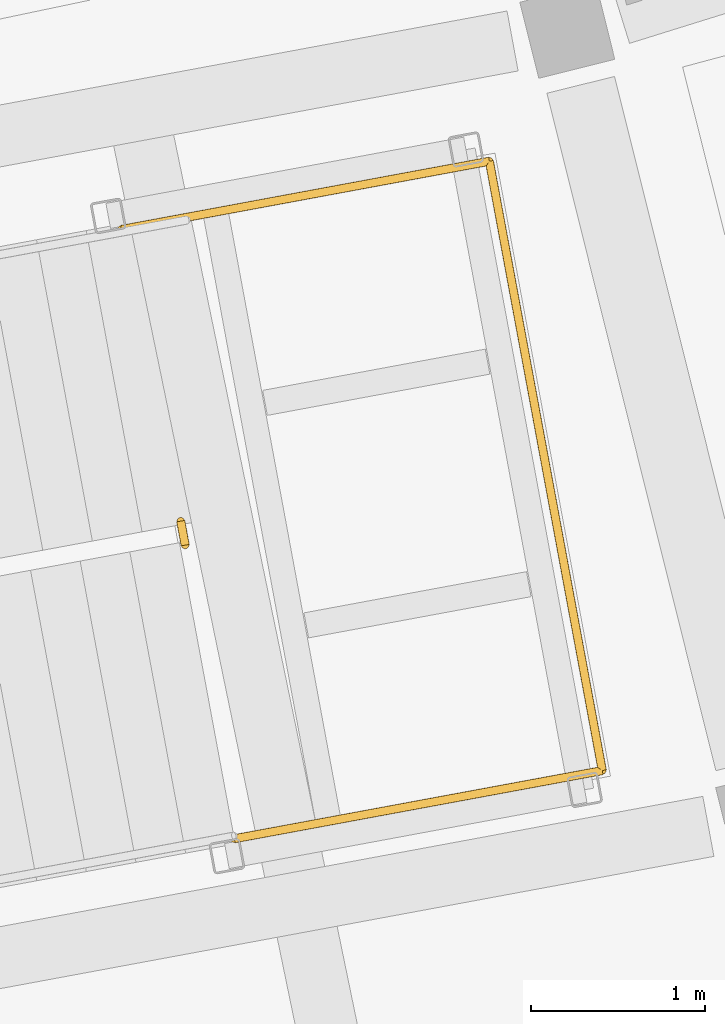
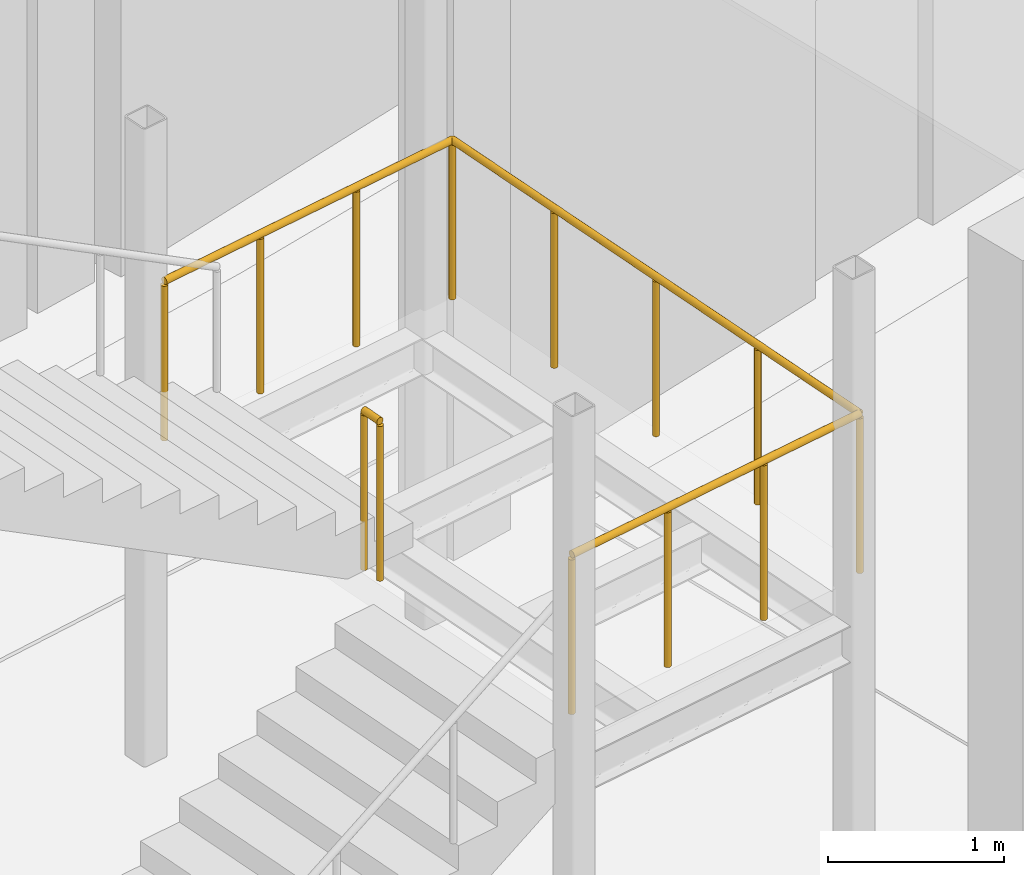
# One storey, part 82 of 92: 2 railings.
"""IFC4 building model written with IfcOpenShell, lengths in metres."""

import ifcopenshell
import ifcopenshell.guid

model = None  # the IFC model being written
_history = None  # IfcOwnerHistory: only IFC2X3 demands one
_inside = {}  # id of a spatial element -> (the spatial element, [elements in it])
_under = {}  # id of a project, library or spatial element -> (it, [spatial elements below it])
_declared = {}  # id of a project -> (the project, [libraries it declares])
_typed = {}  # id of a type object -> (the type object, [elements of that type])
_made_of = {}  # id of a material, layer set ... -> (it, [elements and type objects made of it])


def new_model(schema):
    """Start an empty IFC model of exactly this schema.

    Asked for "IFC4X3", IfcOpenShell would pick the latest addendum, in which some entities
    have other attributes; the version numbers below select the first issue.
    IFC2X3 requires an IfcOwnerHistory on every rooted entity: one is made here for all.
    """
    global model, _history
    if schema == "IFC4X3":
        model = ifcopenshell.file(schema_version=(4, 3, 0, 0))
    else:
        model = ifcopenshell.file(schema=schema)
    _inside.clear()
    _under.clear()
    _declared.clear()
    _typed.clear()
    _made_of.clear()
    _history = None
    if model.schema == "IFC2X3":
        org = make("IfcOrganization", Name="unknown")
        user = make(
            "IfcPersonAndOrganization",
            ThePerson=make("IfcPerson", FamilyName="unknown"),
            TheOrganization=org,
        )
        app = make(
            "IfcApplication",
            ApplicationDeveloper=org,
            Version="unknown",
            ApplicationFullName="unknown",
            ApplicationIdentifier="unknown",
        )
        _history = make(
            "IfcOwnerHistory",
            OwningUser=user,
            OwningApplication=app,
            ChangeAction="ADDED",
            CreationDate=0,
        )
    return model


def make(cls, **values):
    """One entity of the class cls with the attributes given. An attribute that is None is left unset."""
    return model.create_entity(
        cls, **{name: value for name, value in values.items() if value is not None}
    )


def rooted(cls, **values):
    """An entity with a GlobalId (a new one), such as an element, a storey or a relation."""
    return make(cls, GlobalId=ifcopenshell.guid.new(), OwnerHistory=_history, **values)


def si_unit(unit_type, name, prefix=None):
    """IfcSIUnit, for example si_unit("LENGTHUNIT", "METRE", prefix="MILLI")."""
    return make("IfcSIUnit", UnitType=unit_type, Prefix=prefix, Name=name)


def assignment(units):
    """IfcUnitAssignment: the units of a project."""
    return None if units is None else make("IfcUnitAssignment", Units=units)


def point(xyz):
    """IfcCartesianPoint."""
    return None if xyz is None else make("IfcCartesianPoint", Coordinates=xyz)


def direction(xyz):
    """IfcDirection."""
    return None if xyz is None else make("IfcDirection", DirectionRatios=xyz)


def frame(location, z_axis=None, x_axis=None):
    """IfcAxis2Placement3D, a coordinate frame: its origin and axes. An axis left out is left unset."""
    return make(
        "IfcAxis2Placement3D",
        Location=point(location),
        Axis=direction(z_axis),
        RefDirection=direction(x_axis),
    )


def frame_2d(location, x_axis=None):
    """IfcAxis2Placement2D, a coordinate frame in the plane: its origin and x axis."""
    return make(
        "IfcAxis2Placement2D", Location=point(location), RefDirection=direction(x_axis)
    )


def origin():
    """The frame at (0, 0, 0) with its axes left unset."""
    return frame((0.0, 0.0, 0.0))


def origin_2d():
    """The frame at (0, 0) in the plane with its x axis left unset."""
    return frame_2d((0.0, 0.0))


def place(relative_to, where):
    """IfcLocalPlacement: puts the frame where relative to a parent placement (None: the world)."""
    return make(
        "IfcLocalPlacement", PlacementRelTo=relative_to, RelativePlacement=where
    )


def context(
    kind, dimensions, precision=None, world=None, true_north=None, identifier=None
):
    """IfcGeometricRepresentationContext, for example the 3D "Model" context."""
    return make(
        "IfcGeometricRepresentationContext",
        ContextIdentifier=identifier,
        ContextType=kind,
        CoordinateSpaceDimension=dimensions,
        Precision=precision,
        WorldCoordinateSystem=world,
        TrueNorth=true_north,
    )


def subcontext(parent, identifier, kind, view, scale=None):
    """IfcGeometricRepresentationSubContext, for example "Body" below "Model"."""
    return make(
        "IfcGeometricRepresentationSubContext",
        ContextIdentifier=identifier,
        ContextType=kind,
        ParentContext=parent,
        TargetScale=scale,
        TargetView=view,
    )


def project(units=None, contexts=None):
    """IfcProject with its units and contexts."""
    return rooted(
        "IfcProject",
        Name="project",
        RepresentationContexts=contexts,
        UnitsInContext=assignment(units),
    )


def spatial(cls, under=None, at=None, **own):
    """A site, building, storey or space (cls), placed at a placement, below another one or the project."""
    s = rooted(cls, ObjectPlacement=at, **own)
    if under is not None:
        _under.setdefault(under.id(), (under, []))[1].append(s)
    return s


def profile(cls, at=None, kind="AREA", **sizes):
    """A parametric profile (cls). Its sizes go by their IFC names, for example OverallWidth=200.0."""
    return make(cls, ProfileType=kind, Position=at, **sizes)


def circle(**sizes):
    """IfcCircleProfileDef."""
    return profile("IfcCircleProfileDef", **sizes)


def extrude(swept, where, along, depth):
    """IfcExtrudedAreaSolid: the profile swept, set in the frame where, extruded along a direction by depth."""
    return make(
        "IfcExtrudedAreaSolid",
        SweptArea=swept,
        Position=where,
        ExtrudedDirection=direction(along),
        Depth=depth,
    )


def shape(context_of_items, identifier, shape_type, items):
    """IfcShapeRepresentation: the items that make up one representation, for example the "Body"."""
    return make(
        "IfcShapeRepresentation",
        ContextOfItems=context_of_items,
        RepresentationIdentifier=identifier,
        RepresentationType=shape_type,
        Items=items,
    )


def material(Name=None, Category=None):
    """IfcMaterial."""
    return make("IfcMaterial", Name=Name, Category=Category)


def made_of(thing, what):
    """Note that an element or type object is made of a material, layer set ...; save() writes the relation."""
    if what is not None:
        _made_of.setdefault(what.id(), (what, []))[1].append(thing)
    return thing


def type_object(cls, material=None, **own):
    """A type object (cls), such as IfcWallType, which elements share."""
    return made_of(rooted(cls, **own), material)


def element(
    cls,
    number,
    at=None,
    inside=None,
    cuts=None,
    type_object=None,
    material=None,
    context=None,
    identifier="Body",
    shape_type=None,
    held_by="IfcProductDefinitionShape",
    body=None,
    shapes=None,
    **own,
):
    """One element of the class cls, such as IfcWall. Its Tag is "e" and its number.

    at: its placement. inside: the storey or other place that contains it. cuts: it is an
    opening in that element (IfcRelVoidsElement). A single representation is given by context,
    identifier, shape_type and body (its items); several are given by shapes. held_by: the class
    of the entity that holds the representations. save() writes the other relations.
    """
    e = rooted(cls, Tag="e%d" % number, ObjectPlacement=at, **own)
    if body is not None:
        shapes = [shape(context, identifier, shape_type, body)]
    if shapes is not None:
        e.Representation = make(held_by, Representations=shapes)
    if inside is not None:
        _inside.setdefault(inside.id(), (inside, []))[1].append(e)
    if cuts is not None:
        rooted(
            "IfcRelVoidsElement", RelatingBuildingElement=cuts, RelatedOpeningElement=e
        )
    if type_object is not None:
        _typed.setdefault(type_object.id(), (type_object, []))[1].append(e)
    return made_of(e, material)


def aggregate(whole, parts):
    """IfcRelAggregates: a whole, such as a stair, and the parts it consists of."""
    return rooted("IfcRelAggregates", RelatingObject=whole, RelatedObjects=parts)


def save(model, path):
    """Write the relations noted so far, then the file.

    IfcRelAggregates (storeys below a building ...), IfcRelContainedInSpatialStructure (elements
    in a storey), IfcRelDefinesByType, IfcRelAssociatesMaterial and IfcRelDeclares: one each for
    every whole, place, type object, material and project.
    """
    for whole, parts in _under.values():
        aggregate(whole, parts)
    for where, things in _inside.values():
        rooted(
            "IfcRelContainedInSpatialStructure",
            RelatedElements=things,
            RelatingStructure=where,
        )
    for kind, things in _typed.values():
        rooted("IfcRelDefinesByType", RelatedObjects=things, RelatingType=kind)
    for what, things in _made_of.values():
        rooted("IfcRelAssociatesMaterial", RelatedObjects=things, RelatingMaterial=what)
    for by, libraries in _declared.values():
        rooted("IfcRelDeclares", RelatingContext=by, RelatedDefinitions=libraries)
    model.write(path)


model = new_model("IFC4")

# Units and contexts
model_context = context("Model", 3, precision=1e-05, world=origin(), true_north=direction((0.0, 1.0)))
body_context = subcontext(model_context, "Body", "Model", "MODEL_VIEW")
ifc_project = project(units=[si_unit("LENGTHUNIT", "METRE"), si_unit("AREAUNIT", "SQUARE_METRE"), si_unit("VOLUMEUNIT", "CUBIC_METRE"), si_unit("PLANEANGLEUNIT", "RADIAN"), si_unit("MASSUNIT", "GRAM", prefix="KILO")], contexts=[model_context])

# Site, building, storey
site_placement = place(None, origin())
site = spatial("IfcSite", under=ifc_project, at=site_placement, CompositionType="ELEMENT")
building_placement = place(site_placement, origin())
building = spatial("IfcBuilding", under=site, at=building_placement, Name="Caldaven Crescent School", CompositionType="ELEMENT")
storey_placement = place(building_placement, origin())
storey = spatial("IfcBuildingStorey", under=building, at=storey_placement, Name="L00", CompositionType="ELEMENT", Elevation=0.0)

# Railings
ifc_material = material(Name="Powder-coated tubular steel balustrade ASTM A572 Grade 50", Category="steel")
railing_type = type_object("IfcRailingType", Name="RAL-INT2", PredefinedType="BALUSTRADE", material=ifc_material)
railing_1_placement = place(storey_placement, frame((101.013671875, 31.491455078125, 2.2099609375)))
element("IfcRailing", 1, at=railing_1_placement, inside=storey, type_object=railing_type, Name="GD-LND-ST3-L00", PredefinedType="BALUSTRADE", context=body_context, shape_type="SweptSolid", body=[
    extrude(circle(Radius=0.02392578125, at=origin_2d()), frame((0.0, 0.0, 1.09619140625), z_axis=(0.983272214345, 0.182142121701, 0.0), x_axis=(-0.182142121701, 0.983272214345, 0.0)), (0.0, 0.0, 1.0), 2.14990234375),
    extrude(circle(Radius=0.02392578125, at=origin_2d()), frame((2.114013671875, 0.3916015625, 1.09619140625), z_axis=(-0.182209587226, 0.983259714584, 0.0), x_axis=(-0.983259714584, -0.182209587226, 0.0)), (0.0, 0.0, 1.0), 3.56005859375),
    extrude(circle(Radius=0.02392578125, at=origin_2d()), frame((1.46533203125, 3.89208984375, 1.09619140625), z_axis=(-0.983251871482, -0.182251905962, 0.0), x_axis=(0.182251905962, -0.983251871482, 0.0)), (0.0, 0.0, 1.0), 2.14990234375),
    extrude(circle(Radius=0.02099609375, at=origin_2d()), origin(), (0.0, 0.0, 1.0), 1.072021484375),
    extrude(circle(Radius=0.02099609375, at=origin_2d()), frame((0.70458984375, 0.130615234375, 0.0)), (0.0, 0.0, 1.0), 1.072021484375),
    extrude(circle(Radius=0.02099609375, at=origin_2d()), frame((1.409423828125, 0.260986328125, 0.0)), (0.0, 0.0, 1.0), 1.072021484375),
    extrude(circle(Radius=0.02099609375, at=origin_2d()), frame((2.114013671875, 0.3916015625, 0.0)), (0.0, 0.0, 1.0), 1.072021484375),
    extrude(circle(Radius=0.02099609375, at=origin_2d()), frame((1.951904296875, 1.2666015625, 0.0)), (0.0, 0.0, 1.0), 1.072021484375),
    extrude(circle(Radius=0.02099609375, at=origin_2d()), frame((1.78955078125, 2.141845703125, 0.0)), (0.0, 0.0, 1.0), 1.072021484375),
    extrude(circle(Radius=0.02099609375, at=origin_2d()), frame((1.62744140625, 3.01708984375, 0.0)), (0.0, 0.0, 1.0), 1.072021484375),
    extrude(circle(Radius=0.02099609375, at=origin_2d()), frame((1.46533203125, 3.89208984375, 0.0)), (0.0, 0.0, 1.0), 1.072021484375),
    extrude(circle(Radius=0.02099609375, at=origin_2d()), frame((0.7607421875, 3.761474609375, 0.0)), (0.0, 0.0, 1.0), 1.072021484375),
    extrude(circle(Radius=0.02099609375, at=origin_2d()), frame((0.055908203125, 3.630859375, 0.0)), (0.0, 0.0, 1.0), 1.072021484375),
    extrude(circle(Radius=0.02099609375, at=origin_2d()), frame((-0.648681640625, 3.500244140625, 0.0)), (0.0, 0.0, 1.0), 1.072021484375),
])
railing_2_placement = place(storey_placement, frame((100.7314453125, 33.17822265625, 2.2099609375)))
element("IfcRailing", 2, at=railing_2_placement, inside=storey, type_object=railing_type, Name="GD-SLT-ST3-L00", PredefinedType="BALUSTRADE", context=body_context, shape_type="SweptSolid", body=[
    extrude(circle(Radius=0.02392578125, at=origin_2d()), frame((0.0, 0.0, 1.09619140625), z_axis=(-0.181339945149, 0.983420471769, 0.0), x_axis=(-0.983420471769, -0.181339945149, 0.0)), (0.0, 0.0, 1.0), 0.14013671875),
    extrude(circle(Radius=0.02099609375, at=origin_2d()), origin(), (0.0, 0.0, 1.0), 1.072021484375),
    extrude(circle(Radius=0.02099609375, at=origin_2d()), frame((-0.025390625, 0.1376953125, 0.0)), (0.0, 0.0, 1.0), 1.072021484375),
])

save(model, "model.ifc")
